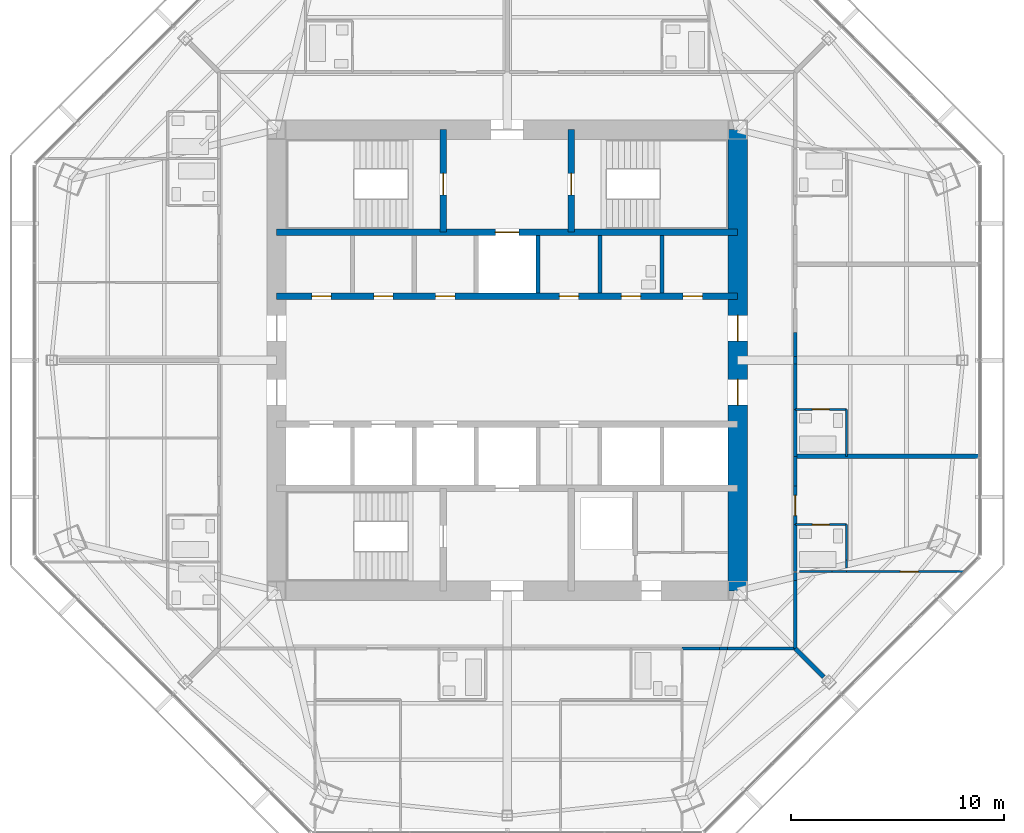
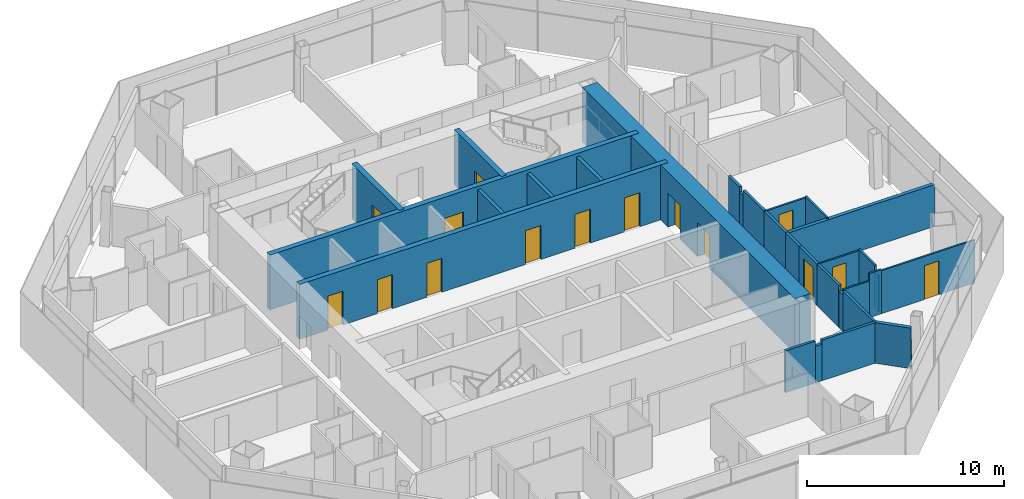
# One storey, part 11 of 15: 30 walls, 15 doors, 15 openings.
"""IFC4 building model written with IfcOpenShell, lengths in metres."""

from ifc_helpers import new_model, si_unit, direction, frame, frame_2d, origin, place, context, subcontext, project, spatial, rectangle, extrude, material, layer, layer_set, type_object, element, fill, save


model = new_model("IFC4")

# Units and contexts
model_context = context("Model", 3, precision=1e-05, world=origin(), true_north=direction((0.0, 1.0)))
body_context = subcontext(model_context, "Body", "Model", "MODEL_VIEW")
ifc_project = project(units=[si_unit("LENGTHUNIT", "METRE"), si_unit("AREAUNIT", "SQUARE_METRE"), si_unit("VOLUMEUNIT", "CUBIC_METRE"), si_unit("PLANEANGLEUNIT", "RADIAN"), si_unit("MASSUNIT", "GRAM", prefix="KILO")], contexts=[model_context])

# Site, building, storey
site_placement = place(None, origin())
site = spatial("IfcSite", under=ifc_project, at=site_placement, CompositionType="ELEMENT")
building_placement = place(site_placement, origin())
building = spatial("IfcBuilding", under=site, at=building_placement, Name="Mashrafa Tower", CompositionType="ELEMENT")
storey_placement = place(building_placement, frame((0.0, 0.0, 207.39990234375)))
storey = spatial("IfcBuildingStorey", under=building, at=storey_placement, Name="L47", CompositionType="ELEMENT", Elevation=207.39990234375)

# Walls
ifc_material_1 = material(Name="Gypsum board on steel studs", Category="steel")
ifc_layer_1 = layer(ifc_material_1, 0.199951171875)
ifc_layer_set_1 = layer_set([ifc_layer_1], Name="Acoustic partition 200 1 hr")
wall_type_1 = type_object("IfcWallType", Name="Acoustic partition 200 1 hr", PredefinedType="PARTITIONING", material=ifc_layer_set_1)
wall_1_placement = place(storey_placement, frame((13.5, -13.5, 0.0), z_axis=(0.0, 0.0, 1.0), x_axis=(0.707106781187, -0.707106781187, 0.0)))
element("IfcWall", 1, at=wall_1_placement, inside=storey, type_object=wall_type_1, Name="Acoustic wall L47-063", PredefinedType="PARTITIONING", context=body_context, shape_type="SweptSolid", body=[
    extrude(rectangle(XDim=1.890625, YDim=0.199951171875, at=frame_2d((0.9453125, 0.0))), origin(), (0.0, 0.0, 1.0), 2.511962890625),
])
wall_2_placement = place(storey_placement, frame((13.5, -4.5, 0.0), z_axis=(0.0, 0.0, 1.0), x_axis=(1.0, 0.0, 0.0)))
element("IfcWall", 2, at=wall_2_placement, inside=storey, type_object=wall_type_1, Name="Acoustic wall L47-067", PredefinedType="PARTITIONING", context=body_context, shape_type="SweptSolid", body=[
    extrude(rectangle(XDim=8.629638671875, YDim=0.199951171875, at=frame_2d((4.31494140625, 0.0))), origin(), (0.0, 0.0, 1.0), 2.590576171875),
])

# Wall, openings, doors
ifc_material_2 = material(Name="Concrete C50/60", Category="concrete")
ifc_layer_2 = layer(ifc_material_2, 0.300048828125)
ifc_layer_set_2 = layer_set([ifc_layer_2], Name="Core wall 300 C50/60")
wall_type_2 = type_object("IfcWallType", Name="Core wall 300 C50/60", PredefinedType="SOLIDWALL", material=ifc_layer_set_2)
wall_3_placement = place(storey_placement, frame((-10.800048828125, 3.0, 0.0), z_axis=(0.0, 0.0, 1.0), x_axis=(1.0, 0.0, 0.0)))
wall_3 = element("IfcWall", 3, at=wall_3_placement, inside=storey, type_object=wall_type_2, Name="Core wall CH-N L47", PredefinedType="SOLIDWALL", context=body_context, shape_type="SweptSolid", body=[
    extrude(rectangle(XDim=21.60009765625, YDim=0.300048828125, at=frame_2d((10.800048828125, 0.0))), origin(), (0.0, 0.0, 1.0), 3.400146484375),
])
opening_1_placement = place(wall_3_placement, frame((1.64990234375, 0.0, 0.0)))
opening_1 = element("IfcOpeningElement", 4, at=opening_1_placement, cuts=wall_3, Name="Opening 47.045", PredefinedType="OPENING", context=body_context, shape_type="SweptSolid", body=[
    extrude(rectangle(XDim=0.89990234375, YDim=2.10009765625, at=frame_2d((0.449951171875, 1.050048828125))), frame((0.0, 0.159912109375, 0.0), z_axis=(0.0, -1.0, 0.0), x_axis=(1.0, 0.0, 0.0)), (0.0, 0.0, 1.0), 0.320068359375),
])
opening_2_placement = place(wall_3_placement, frame((13.25, 0.0, 0.0)))
opening_2 = element("IfcOpeningElement", 5, at=opening_2_placement, cuts=wall_3, Name="Opening 47.046", PredefinedType="OPENING", context=body_context, shape_type="SweptSolid", body=[
    extrude(rectangle(XDim=0.89990234375, YDim=2.10009765625, at=frame_2d((0.449951171875, 1.050048828125))), frame((0.0, 0.159912109375, 0.0), z_axis=(0.0, -1.0, 0.0), x_axis=(1.0, 0.0, 0.0)), (0.0, 0.0, 1.0), 0.320068359375),
])
opening_3_placement = place(wall_3_placement, frame((16.14990234375, 0.0, 0.0)))
opening_3 = element("IfcOpeningElement", 6, at=opening_3_placement, cuts=wall_3, Name="Opening 47.047", PredefinedType="OPENING", context=body_context, shape_type="SweptSolid", body=[
    extrude(rectangle(XDim=0.89990234375, YDim=2.10009765625, at=frame_2d((0.449951171875, 1.050048828125))), frame((0.0, 0.159912109375, 0.0), z_axis=(0.0, -1.0, 0.0), x_axis=(1.0, 0.0, 0.0)), (0.0, 0.0, 1.0), 0.320068359375),
])
opening_4_placement = place(wall_3_placement, frame((4.550048828125, 0.0, 0.0)))
opening_4 = element("IfcOpeningElement", 7, at=opening_4_placement, cuts=wall_3, Name="Opening 47.049", PredefinedType="OPENING", context=body_context, shape_type="SweptSolid", body=[
    extrude(rectangle(XDim=0.89990234375, YDim=2.10009765625, at=frame_2d((0.449951171875, 1.050048828125))), frame((0.0, 0.159912109375, 0.0), z_axis=(0.0, -1.0, 0.0), x_axis=(1.0, 0.0, 0.0)), (0.0, 0.0, 1.0), 0.320068359375),
])
opening_5_placement = place(wall_3_placement, frame((7.449951171875, 0.0, 0.0)))
opening_5 = element("IfcOpeningElement", 8, at=opening_5_placement, cuts=wall_3, Name="Opening 47.050", PredefinedType="OPENING", context=body_context, shape_type="SweptSolid", body=[
    extrude(rectangle(XDim=0.89990234375, YDim=2.10009765625, at=frame_2d((0.449951171875, 1.050048828125))), frame((0.0, 0.159912109375, 0.0), z_axis=(0.0, -1.0, 0.0), x_axis=(1.0, 0.0, 0.0)), (0.0, 0.0, 1.0), 0.320068359375),
])
opening_6_placement = place(wall_3_placement, frame((19.050048828125, 0.0, 0.0)))
opening_6 = element("IfcOpeningElement", 9, at=opening_6_placement, cuts=wall_3, Name="Opening 47.051", PredefinedType="OPENING", context=body_context, shape_type="SweptSolid", body=[
    extrude(rectangle(XDim=0.89990234375, YDim=2.10009765625, at=frame_2d((0.449951171875, 1.050048828125))), frame((0.0, 0.159912109375, 0.0), z_axis=(0.0, -1.0, 0.0), x_axis=(1.0, 0.0, 0.0)), (0.0, 0.0, 1.0), 0.320068359375),
])
ifc_material_3 = material(Name="Timber door", Category="wood")
door_type_1 = type_object("IfcDoorType", Name="Store door 900 x 2100", OperationType="USERDEFINED", PredefinedType="DOOR", material=ifc_material_3)
door_1_placement = place(opening_1_placement, origin())
door_1 = element("IfcDoor", 10, at=door_1_placement, inside=storey, type_object=door_type_1, Name="Refuse Chute Room L47 door", OperationType="SINGLE_SWING_RIGHT", OverallHeight=2.10009765625, OverallWidth=0.89990234375, PredefinedType="DOOR", context=body_context, shape_type="SweptSolid", body=[
    extrude(rectangle(XDim=0.89990234375, YDim=2.10009765625, at=frame_2d((0.449951171875, 1.050048828125))), frame((0.0, 0.02490234375, 0.0), z_axis=(0.0, -1.0, 0.0), x_axis=(1.0, 0.0, 0.0)), (0.0, 0.0, 1.0), 0.050048828125),
])
fill(opening_1, door_1)
door_2_placement = place(opening_2_placement, origin())
door_2 = element("IfcDoor", 11, at=door_2_placement, inside=storey, type_object=door_type_1, Name="Cleaner's Store L47 door", OperationType="SINGLE_SWING_LEFT", OverallHeight=2.10009765625, OverallWidth=0.89990234375, PredefinedType="DOOR", context=body_context, shape_type="SweptSolid", body=[
    extrude(rectangle(XDim=0.89990234375, YDim=2.10009765625, at=frame_2d((0.449951171875, 1.050048828125))), frame((0.0, 0.02490234375, 0.0), z_axis=(0.0, -1.0, 0.0), x_axis=(1.0, 0.0, 0.0)), (0.0, 0.0, 1.0), 0.050048828125),
])
fill(opening_2, door_2)
door_3_placement = place(opening_4_placement, origin())
door_3 = element("IfcDoor", 12, at=door_3_placement, inside=storey, type_object=door_type_1, Name="Residents' Store L47-A2 door", OperationType="SINGLE_SWING_LEFT", OverallHeight=2.10009765625, OverallWidth=0.89990234375, PredefinedType="DOOR", context=body_context, shape_type="SweptSolid", body=[
    extrude(rectangle(XDim=0.89990234375, YDim=2.10009765625, at=frame_2d((0.449951171875, 1.050048828125))), frame((0.0, 0.02490234375, 0.0), z_axis=(0.0, -1.0, 0.0), x_axis=(1.0, 0.0, 0.0)), (0.0, 0.0, 1.0), 0.050048828125),
])
fill(opening_4, door_3)
door_4_placement = place(opening_5_placement, origin())
door_4 = element("IfcDoor", 13, at=door_4_placement, inside=storey, type_object=door_type_1, Name="Residents' Store L47-A3 door", OperationType="SINGLE_SWING_LEFT", OverallHeight=2.10009765625, OverallWidth=0.89990234375, PredefinedType="DOOR", context=body_context, shape_type="SweptSolid", body=[
    extrude(rectangle(XDim=0.89990234375, YDim=2.10009765625, at=frame_2d((0.449951171875, 1.050048828125))), frame((0.0, 0.02490234375, 0.0), z_axis=(0.0, -1.0, 0.0), x_axis=(1.0, 0.0, 0.0)), (0.0, 0.0, 1.0), 0.050048828125),
])
fill(opening_5, door_4)
door_5_placement = place(opening_6_placement, origin())
door_5 = element("IfcDoor", 14, at=door_5_placement, inside=storey, type_object=door_type_1, Name="Residents' Store L47-K2 door", OperationType="SINGLE_SWING_LEFT", OverallHeight=2.10009765625, OverallWidth=0.89990234375, PredefinedType="DOOR", context=body_context, shape_type="SweptSolid", body=[
    extrude(rectangle(XDim=0.89990234375, YDim=2.10009765625, at=frame_2d((0.449951171875, 1.050048828125))), frame((0.0, 0.02490234375, 0.0), z_axis=(0.0, -1.0, 0.0), x_axis=(1.0, 0.0, 0.0)), (0.0, 0.0, 1.0), 0.050048828125),
])
fill(opening_6, door_5)
ifc_material_4 = material(Name="Timber door", Category="wood")
door_type_2 = type_object("IfcDoorType", Name="Toilet door 900 x 2100", OperationType="USERDEFINED", PredefinedType="DOOR", material=ifc_material_4)
door_6_placement = place(opening_3_placement, origin())
door_6 = element("IfcDoor", 15, at=door_6_placement, inside=storey, type_object=door_type_2, Name="Staff WC L47 door", OperationType="SINGLE_SWING_LEFT", OverallHeight=2.10009765625, OverallWidth=0.89990234375, PredefinedType="DOOR", context=body_context, shape_type="SweptSolid", body=[
    extrude(rectangle(XDim=0.89990234375, YDim=2.10009765625, at=frame_2d((0.449951171875, 1.050048828125))), frame((0.0, 0.02490234375, 0.0), z_axis=(0.0, -1.0, 0.0), x_axis=(1.0, 0.0, 0.0)), (0.0, 0.0, 1.0), 0.050048828125),
])
fill(opening_3, door_6)

# Wall, opening, door
wall_4_placement = place(storey_placement, frame((-10.800048828125, 6.0, 0.0), z_axis=(0.0, 0.0, 1.0), x_axis=(1.0, 0.0, 0.0)))
wall_4 = element("IfcWall", 16, at=wall_4_placement, inside=storey, type_object=wall_type_2, Name="Core wall CB-N L47", PredefinedType="SOLIDWALL", context=body_context, shape_type="SweptSolid", body=[
    extrude(rectangle(XDim=21.60009765625, YDim=0.300048828125, at=frame_2d((10.800048828125, 0.0))), origin(), (0.0, 0.0, 1.0), 3.400146484375),
])
opening_7_placement = place(wall_4_placement, frame((10.25, 0.0, 0.0)))
opening_7 = element("IfcOpeningElement", 17, at=opening_7_placement, cuts=wall_4, Name="Opening 47.F1", PredefinedType="OPENING", context=body_context, shape_type="SweptSolid", body=[
    extrude(rectangle(XDim=1.10009765625, YDim=2.10009765625, at=frame_2d((0.550048828125, 1.050048828125))), frame((0.0, 0.159912109375, 0.0), z_axis=(0.0, -1.0, 0.0), x_axis=(1.0, 0.0, 0.0)), (0.0, 0.0, 1.0), 0.320068359375),
])
ifc_material_5 = material(Name="Steel door", Category="steel")
door_type_3 = type_object("IfcDoorType", Name="Lift landing door 1100 x 2100 90 min", OperationType="DOUBLE_DOOR_SLIDING", PredefinedType="DOOR", material=ifc_material_5)
door_7_placement = place(opening_7_placement, origin())
door_7 = element("IfcDoor", 18, at=door_7_placement, inside=storey, type_object=door_type_3, Name="Lift landing door F1 L47", OperationType="DOUBLE_DOOR_SLIDING", OverallHeight=2.10009765625, OverallWidth=1.10009765625, PredefinedType="DOOR", context=body_context, shape_type="SweptSolid", body=[
    extrude(rectangle(XDim=1.10009765625, YDim=2.10009765625, at=frame_2d((0.550048828125, 1.050048828125))), frame((0.0, 0.02490234375, 0.0), z_axis=(0.0, -1.0, 0.0), x_axis=(1.0, 0.0, 0.0)), (0.0, 0.0, 1.0), 0.050048828125),
])
fill(opening_7, door_7)

wall_5_placement = place(storey_placement, frame((-3.0, 6.0, 0.0), z_axis=(0.0, 0.0, 1.0), x_axis=(0.0, 1.0, 0.0)))
wall_5 = element("IfcWall", 19, at=wall_5_placement, inside=storey, type_object=wall_type_2, Name="Core wall CX-NW L47", PredefinedType="SOLIDWALL", context=body_context, shape_type="SweptSolid", body=[
    extrude(rectangle(XDim=4.800048828125, YDim=0.300048828125, at=frame_2d((2.39990234375, 0.0))), origin(), (0.0, 0.0, 1.0), 3.400146484375),
])
opening_8_placement = place(wall_5_placement, frame((1.75, 0.0, 0.0)))
opening_8 = element("IfcOpeningElement", 20, at=opening_8_placement, cuts=wall_5, Name="Opening 47.038", PredefinedType="OPENING", context=body_context, shape_type="SweptSolid", body=[
    extrude(rectangle(XDim=1.0, YDim=2.10009765625, at=frame_2d((0.5, 1.050048828125))), frame((0.0, 0.159912109375, 0.0), z_axis=(0.0, -1.0, 0.0), x_axis=(1.0, 0.0, 0.0)), (0.0, 0.0, 1.0), 0.320068359375),
])
ifc_material_6 = material(Name="Steel door", Category="steel")
door_type_4 = type_object("IfcDoorType", Name="Stair door 1000 x 2100 90 min", OperationType="USERDEFINED", PredefinedType="DOOR", material=ifc_material_6)
door_8_placement = place(opening_8_placement, origin())
door_8 = element("IfcDoor", 21, at=door_8_placement, inside=storey, type_object=door_type_4, Name="Stair S1 door L47", OperationType="SINGLE_SWING_LEFT", OverallHeight=2.10009765625, OverallWidth=1.0, PredefinedType="DOOR", context=body_context, shape_type="SweptSolid", body=[
    extrude(rectangle(XDim=1.0, YDim=2.10009765625, at=frame_2d((0.5, 1.050048828125))), frame((0.0, 0.02490234375, 0.0), z_axis=(0.0, -1.0, 0.0), x_axis=(1.0, 0.0, 0.0)), (0.0, 0.0, 1.0), 0.050048828125),
])
fill(opening_8, door_8)

wall_6_placement = place(storey_placement, frame((3.0, 6.0, 0.0), z_axis=(0.0, 0.0, 1.0), x_axis=(0.0, 1.0, 0.0)))
wall_6 = element("IfcWall", 22, at=wall_6_placement, inside=storey, type_object=wall_type_2, Name="Core wall CX-NE L47", PredefinedType="SOLIDWALL", context=body_context, shape_type="SweptSolid", body=[
    extrude(rectangle(XDim=4.800048828125, YDim=0.300048828125, at=frame_2d((2.39990234375, 0.0))), origin(), (0.0, 0.0, 1.0), 3.400146484375),
])
opening_9_placement = place(wall_6_placement, frame((1.75, 0.0, 0.0)))
opening_9 = element("IfcOpeningElement", 23, at=opening_9_placement, cuts=wall_6, Name="Opening 47.039", PredefinedType="OPENING", context=body_context, shape_type="SweptSolid", body=[
    extrude(rectangle(XDim=1.0, YDim=2.10009765625, at=frame_2d((0.5, 1.050048828125))), frame((0.0, 0.159912109375, 0.0), z_axis=(0.0, -1.0, 0.0), x_axis=(1.0, 0.0, 0.0)), (0.0, 0.0, 1.0), 0.320068359375),
])
door_9_placement = place(opening_9_placement, frame((1.0, 0.0, 0.0), z_axis=(0.0, 0.0, 1.0), x_axis=(-1.0, 0.0, 0.0)))
door_9 = element("IfcDoor", 24, at=door_9_placement, inside=storey, type_object=door_type_4, Name="Stair S2 door L47", OperationType="SINGLE_SWING_RIGHT", OverallHeight=2.10009765625, OverallWidth=1.0, PredefinedType="DOOR", context=body_context, shape_type="SweptSolid", body=[
    extrude(rectangle(XDim=1.0, YDim=2.10009765625, at=frame_2d((0.5, 1.050048828125))), frame((0.0, 0.02490234375, 0.0), z_axis=(0.0, -1.0, 0.0), x_axis=(1.0, 0.0, 0.0)), (0.0, 0.0, 1.0), 0.050048828125),
])
fill(opening_9, door_9)

# Wall, openings, doors
ifc_material_7 = material(Name="Concrete C50/60", Category="concrete")
ifc_layer_3 = layer(ifc_material_7, 0.89990234375)
ifc_layer_set_3 = layer_set([ifc_layer_3], Name="Core wall 900 C50/60")
wall_type_3 = type_object("IfcWallType", Name="Core wall 900 C50/60", PredefinedType="SOLIDWALL", material=ifc_layer_set_3)
wall_7_placement = place(storey_placement, frame((10.800048828125, -10.800048828125, 0.0), z_axis=(0.0, 0.0, 1.0), x_axis=(0.0, 1.0, 0.0)))
wall_7 = element("IfcWall", 25, at=wall_7_placement, inside=storey, type_object=wall_type_3, Name="Core wall CW-E L47", PredefinedType="SOLIDWALL", context=body_context, shape_type="SweptSolid", body=[
    extrude(rectangle(XDim=21.60009765625, YDim=0.89990234375, at=frame_2d((10.800048828125, 0.0))), origin(), (0.0, 0.0, 1.0), 3.400146484375),
])
opening_10_placement = place(wall_7_placement, frame((11.699951171875, 0.0, 0.0)))
opening_10 = element("IfcOpeningElement", 26, at=opening_10_placement, cuts=wall_7, Name="Opening 47.032", PredefinedType="OPENING", context=body_context, shape_type="SweptSolid", body=[
    extrude(rectangle(XDim=1.199951171875, YDim=2.10009765625, at=frame_2d((0.60009765625, 1.050048828125))), frame((0.0, 0.4599609375, 0.0), z_axis=(0.0, -1.0, 0.0), x_axis=(1.0, 0.0, 0.0)), (0.0, 0.0, 1.0), 0.919921875),
])
opening_11_placement = place(wall_7_placement, frame((8.699951171875, 0.0, 0.0)))
opening_11 = element("IfcOpeningElement", 27, at=opening_11_placement, cuts=wall_7, Name="Opening 47.034", PredefinedType="OPENING", context=body_context, shape_type="SweptSolid", body=[
    extrude(rectangle(XDim=1.199951171875, YDim=2.10009765625, at=frame_2d((0.60009765625, 1.050048828125))), frame((0.0, 0.4599609375, 0.0), z_axis=(0.0, -1.0, 0.0), x_axis=(1.0, 0.0, 0.0)), (0.0, 0.0, 1.0), 0.919921875),
])
ifc_material_8 = material(Name="Steel door", Category="steel")
door_type_5 = type_object("IfcDoorType", Name="Lift hall door 1200 x 2100 90 min", OperationType="USERDEFINED", PredefinedType="DOOR", material=ifc_material_8)
door_10_placement = place(opening_10_placement, frame((1.199951171875, 0.0, 0.0), z_axis=(0.0, 0.0, 1.0), x_axis=(-1.0, 0.0, 0.0)))
door_10 = element("IfcDoor", 28, at=door_10_placement, inside=storey, type_object=door_type_5, Name="Lift hall door east L47", OperationType="SINGLE_SWING_LEFT", OverallHeight=2.10009765625, OverallWidth=1.199951171875, PredefinedType="DOOR", context=body_context, shape_type="SweptSolid", body=[
    extrude(rectangle(XDim=1.199951171875, YDim=2.10009765625, at=frame_2d((0.60009765625, 1.050048828125))), frame((0.0, 0.02490234375, 0.0), z_axis=(0.0, -1.0, 0.0), x_axis=(1.0, 0.0, 0.0)), (0.0, 0.0, 1.0), 0.050048828125),
])
fill(opening_10, door_10)
door_11_placement = place(opening_11_placement, frame((1.199951171875, 0.0, 0.0), z_axis=(0.0, 0.0, 1.0), x_axis=(-1.0, 0.0, 0.0)))
door_11 = element("IfcDoor", 29, at=door_11_placement, inside=storey, type_object=door_type_5, Name="Lift hall door east L47", OperationType="SINGLE_SWING_RIGHT", OverallHeight=2.10009765625, OverallWidth=1.199951171875, PredefinedType="DOOR", context=body_context, shape_type="SweptSolid", body=[
    extrude(rectangle(XDim=1.199951171875, YDim=2.10009765625, at=frame_2d((0.60009765625, 1.050048828125))), frame((0.0, 0.02490234375, 0.0), z_axis=(0.0, -1.0, 0.0), x_axis=(1.0, 0.0, 0.0)), (0.0, 0.0, 1.0), 0.050048828125),
])
fill(opening_11, door_11)

# Walls
ifc_material_9 = material(Name="Gypsum board on steel studs", Category="steel")
ifc_layer_4 = layer(ifc_material_9, 0.14990234375)
ifc_layer_set_4 = layer_set([ifc_layer_4], Name="Corridor partition 150 1 hr")
wall_type_4 = type_object("IfcWallType", Name="Corridor partition 150 1 hr", PredefinedType="PARTITIONING", material=ifc_layer_set_4)
wall_8_placement = place(storey_placement, frame((13.5, -13.5, 0.0), z_axis=(0.0, 0.0, 1.0), x_axis=(0.0, 1.0, 0.0)))
element("IfcWall", 30, at=wall_8_placement, inside=storey, type_object=wall_type_4, Name="Corridor wall L47-001", PredefinedType="PARTITIONING", context=body_context, shape_type="SweptSolid", body=[
    extrude(rectangle(XDim=3.177001953125, YDim=0.14990234375, at=frame_2d((1.58837890625, 0.0))), origin(), (0.0, 0.0, 1.0), 2.511962890625),
])
wall_9_placement = place(storey_placement, frame((13.5, -10.322998046875, 0.0), z_axis=(0.0, 0.0, 1.0), x_axis=(0.0, 1.0, 0.0)))
element("IfcWall", 31, at=wall_9_placement, inside=storey, type_object=wall_type_4, Name="Corridor wall L47-002", PredefinedType="PARTITIONING", context=body_context, shape_type="SweptSolid", body=[
    extrude(rectangle(XDim=0.375732421875, YDim=0.14990234375, at=frame_2d((0.18798828125, 0.0))), origin(), (0.0, 0.0, 1.0), 2.268310546875),
])
wall_10_placement = place(storey_placement, frame((13.5, -9.90087890625, 0.0), z_axis=(0.0, 0.0, 1.0), x_axis=(0.0, 1.0, 0.0)))
element("IfcWall", 32, at=wall_10_placement, inside=storey, type_object=wall_type_4, Name="Corridor wall L47-003", PredefinedType="PARTITIONING", context=body_context, shape_type="SweptSolid", body=[
    extrude(rectangle(XDim=2.201904296875, YDim=0.14990234375, at=frame_2d((1.10107421875, 0.0))), origin(), (0.0, 0.0, 1.0), 2.590576171875),
])
wall_11_placement = place(storey_placement, frame((13.5, -5.90087890625, 0.0), z_axis=(0.0, 0.0, 1.0), x_axis=(0.0, 1.0, 0.0)))
element("IfcWall", 33, at=wall_11_placement, inside=storey, type_object=wall_type_4, Name="Corridor wall L47-004", PredefinedType="PARTITIONING", context=body_context, shape_type="SweptSolid", body=[
    extrude(rectangle(XDim=1.40185546875, YDim=0.14990234375, at=frame_2d((0.700927734375, 0.0))), origin(), (0.0, 0.0, 1.0), 2.590576171875),
])

# Wall, opening, door
wall_12_placement = place(storey_placement, frame((13.5, -7.700927734375, 0.0), z_axis=(0.0, 0.0, 1.0), x_axis=(0.0, 1.0, 0.0)))
wall_12 = element("IfcWall", 34, at=wall_12_placement, inside=storey, type_object=wall_type_4, Name="Corridor wall L47-005", PredefinedType="PARTITIONING", context=body_context, shape_type="SweptSolid", body=[
    extrude(rectangle(XDim=1.802001953125, YDim=0.14990234375, at=frame_2d((0.90087890625, 0.0))), origin(), (0.0, 0.0, 1.0), 2.590576171875),
])
opening_12_placement = place(wall_12_placement, frame((0.426025390625, 0.0, 0.0)))
opening_12 = element("IfcOpeningElement", 35, at=opening_12_placement, cuts=wall_12, Name="Opening 47.003", PredefinedType="OPENING", context=body_context, shape_type="SweptSolid", body=[
    extrude(rectangle(XDim=0.949951171875, YDim=2.10009765625, at=frame_2d((0.47509765625, 1.050048828125))), frame((0.0, 0.0849609375, 0.0), z_axis=(0.0, -1.0, 0.0), x_axis=(1.0, 0.0, 0.0)), (0.0, 0.0, 1.0), 0.169921875),
])
ifc_material_10 = material(Name="Steel door", Category="steel")
door_type_6 = type_object("IfcDoorType", Name="Residence entrance door 950 x 2100 20 min", OperationType="USERDEFINED", PredefinedType="DOOR", material=ifc_material_10)
door_12_placement = place(opening_12_placement, frame((0.949951171875, 0.0, 0.0), z_axis=(0.0, 0.0, 1.0), x_axis=(-1.0, 0.0, 0.0)))
door_12 = element("IfcDoor", 36, at=door_12_placement, inside=storey, type_object=door_type_6, Name="Apartment 4701 Living Room door", OperationType="SINGLE_SWING_LEFT", OverallHeight=2.10009765625, OverallWidth=0.949951171875, PredefinedType="DOOR", context=body_context, shape_type="SweptSolid", body=[
    extrude(rectangle(XDim=0.949951171875, YDim=2.10009765625, at=frame_2d((0.47509765625, 1.050048828125))), frame((0.0, 0.02490234375, 0.0), z_axis=(0.0, -1.0, 0.0), x_axis=(1.0, 0.0, 0.0)), (0.0, 0.0, 1.0), 0.050048828125),
])
fill(opening_12, door_12)

# Walls
wall_13_placement = place(storey_placement, frame((13.5, -4.5009765625, 0.0), z_axis=(0.0, 0.0, 1.0), x_axis=(0.0, 1.0, 0.0)))
element("IfcWall", 37, at=wall_13_placement, inside=storey, type_object=wall_type_4, Name="Corridor wall L47-006", PredefinedType="PARTITIONING", context=body_context, shape_type="SweptSolid", body=[
    extrude(rectangle(XDim=2.201904296875, YDim=0.14990234375, at=frame_2d((1.10107421875, 0.0))), origin(), (0.0, 0.0, 1.0), 2.590576171875),
])
wall_14_placement = place(storey_placement, frame((13.5, -0.18359375, 0.0), z_axis=(0.0, 0.0, 1.0), x_axis=(0.0, -1.0, 0.0)))
element("IfcWall", 38, at=wall_14_placement, inside=storey, type_object=wall_type_4, Name="Corridor wall L47-007", PredefinedType="PARTITIONING", context=body_context, shape_type="SweptSolid", body=[
    extrude(rectangle(XDim=2.117431640625, YDim=0.14990234375, at=frame_2d((1.05859375, 0.0))), origin(), (0.0, 0.0, 1.0), 2.590576171875),
])
wall_15_placement = place(storey_placement, frame((13.5, 0.18359375, 0.0), z_axis=(0.0, 0.0, 1.0), x_axis=(0.0, 1.0, 0.0)))
element("IfcWall", 39, at=wall_15_placement, inside=storey, type_object=wall_type_4, Name="Corridor wall L47-008", PredefinedType="PARTITIONING", context=body_context, shape_type="SweptSolid", body=[
    extrude(rectangle(XDim=1.117431640625, YDim=0.14990234375, at=frame_2d((0.55859375, 0.0))), origin(), (0.0, 0.0, 1.0), 2.590576171875),
])
wall_16_placement = place(storey_placement, frame((13.5, -0.18359375, 0.0), z_axis=(0.0, 0.0, 1.0), x_axis=(0.0, 1.0, 0.0)))
element("IfcWall", 40, at=wall_16_placement, inside=storey, type_object=wall_type_4, Name="Corridor wall L47-009", PredefinedType="PARTITIONING", context=body_context, shape_type="SweptSolid", body=[
    extrude(rectangle(XDim=0.3671875, YDim=0.14990234375, at=frame_2d((0.18359375, 0.0))), origin(), (0.0, 0.0, 1.0), 2.2529296875),
])
wall_17_placement = place(storey_placement, frame((8.198974609375, -13.5, 0.0), z_axis=(0.0, 0.0, 1.0), x_axis=(1.0, 0.0, 0.0)))
element("IfcWall", 41, at=wall_17_placement, inside=storey, type_object=wall_type_4, Name="Corridor wall L47-055", PredefinedType="PARTITIONING", context=body_context, shape_type="SweptSolid", body=[
    extrude(rectangle(XDim=1.748291015625, YDim=0.14990234375, at=frame_2d((0.8740234375, 0.0))), origin(), (0.0, 0.0, 1.0), 2.590576171875),
])
wall_18_placement = place(storey_placement, frame((10.322998046875, -13.5, 0.0), z_axis=(0.0, 0.0, 1.0), x_axis=(1.0, 0.0, 0.0)))
element("IfcWall", 42, at=wall_18_placement, inside=storey, type_object=wall_type_4, Name="Corridor wall L47-056", PredefinedType="PARTITIONING", context=body_context, shape_type="SweptSolid", body=[
    extrude(rectangle(XDim=3.177001953125, YDim=0.14990234375, at=frame_2d((1.58837890625, 0.0))), origin(), (0.0, 0.0, 1.0), 2.511962890625),
])
wall_19_placement = place(storey_placement, frame((9.947265625, -13.5, 0.0), z_axis=(0.0, 0.0, 1.0), x_axis=(1.0, 0.0, 0.0)))
element("IfcWall", 43, at=wall_19_placement, inside=storey, type_object=wall_type_4, Name="Corridor wall L47-057", PredefinedType="PARTITIONING", context=body_context, shape_type="SweptSolid", body=[
    extrude(rectangle(XDim=0.375732421875, YDim=0.14990234375, at=frame_2d((0.18798828125, 0.0))), origin(), (0.0, 0.0, 1.0), 2.268310546875),
])
ifc_material_11 = material(Name="Gypsum board on steel studs", Category="steel")
ifc_layer_5 = layer(ifc_material_11, 0.10009765625)
ifc_layer_set_5 = layer_set([ifc_layer_5], Name="Partition 100")
wall_type_5 = type_object("IfcWallType", Name="Partition 100", PredefinedType="PARTITIONING", material=ifc_layer_set_5)
wall_20_placement = place(storey_placement, frame((15.90087890625, -9.89990234375, 0.0), z_axis=(0.0, 0.0, 1.0), x_axis=(-1.0, 0.0, 0.0)))
element("IfcWall", 44, at=wall_20_placement, inside=storey, type_object=wall_type_5, Name="Partition wall L47-060", PredefinedType="PARTITIONING", context=body_context, shape_type="SweptSolid", body=[
    extrude(rectangle(XDim=0.68310546875, YDim=0.10009765625, at=frame_2d((0.341552734375, 0.0))), origin(), (0.0, 0.0, 1.0), 2.740478515625),
])
wall_21_placement = place(storey_placement, frame((15.2177734375, -9.89990234375, 0.0), z_axis=(0.0, 0.0, 1.0), x_axis=(-1.0, 0.0, 0.0)))
element("IfcWall", 45, at=wall_21_placement, inside=storey, type_object=wall_type_5, Name="Partition wall L47-061", PredefinedType="PARTITIONING", context=body_context, shape_type="SweptSolid", body=[
    extrude(rectangle(XDim=1.52587890625, YDim=0.10009765625, at=frame_2d((0.762939453125, 0.0))), origin(), (0.0, 0.0, 1.0), 2.268310546875),
])

# Wall, opening, door
wall_22_placement = place(storey_placement, frame((21.399658203125, -9.89990234375, 0.0), z_axis=(0.0, 0.0, 1.0), x_axis=(-1.0, 0.0, 0.0)))
wall_22 = element("IfcWall", 46, at=wall_22_placement, inside=storey, type_object=wall_type_5, Name="Partition wall L47-062", PredefinedType="PARTITIONING", context=body_context, shape_type="SweptSolid", body=[
    extrude(rectangle(XDim=5.500732421875, YDim=0.10009765625, at=frame_2d((2.75048828125, 0.0))), origin(), (0.0, 0.0, 1.0), 2.664306640625),
])
opening_13_placement = place(wall_22_placement, frame((2.12841796875, 0.0, 0.0)))
opening_13 = element("IfcOpeningElement", 47, at=opening_13_placement, cuts=wall_22, Name="Opening 47.001", PredefinedType="OPENING", context=body_context, shape_type="SweptSolid", body=[
    extrude(rectangle(XDim=0.85009765625, YDim=2.10009765625, at=frame_2d((0.425048828125, 1.050048828125))), frame((0.0, 0.06005859375, 0.0), z_axis=(0.0, -1.0, 0.0), x_axis=(1.0, 0.0, 0.0)), (0.0, 0.0, 1.0), 0.1201171875),
])
ifc_material_12 = material(Name="Timber door", Category="wood")
door_type_7 = type_object("IfcDoorType", Name="Bedroom door 850 x 2100", OperationType="USERDEFINED", PredefinedType="DOOR", material=ifc_material_12)
door_13_placement = place(opening_13_placement, origin())
door_13 = element("IfcDoor", 48, at=door_13_placement, inside=storey, type_object=door_type_7, Name="Apartment 4701 Bedroom 1 door", OperationType="SINGLE_SWING_LEFT", OverallHeight=2.10009765625, OverallWidth=0.85009765625, PredefinedType="DOOR", context=body_context, shape_type="SweptSolid", body=[
    extrude(rectangle(XDim=0.85009765625, YDim=2.10009765625, at=frame_2d((0.425048828125, 1.050048828125))), frame((0.0, 0.02490234375, 0.0), z_axis=(0.0, -1.0, 0.0), x_axis=(1.0, 0.0, 0.0)), (0.0, 0.0, 1.0), 0.050048828125),
])
fill(opening_13, door_13)

# Walls
wall_23_placement = place(storey_placement, frame((15.89990234375, -9.356201171875, 0.0), z_axis=(0.0, 0.0, 1.0), x_axis=(0.0, 1.0, 0.0)))
element("IfcWall", 49, at=wall_23_placement, inside=storey, type_object=wall_type_5, Name="Partition wall L47-064", PredefinedType="PARTITIONING", context=body_context, shape_type="SweptSolid", body=[
    extrude(rectangle(XDim=1.65625, YDim=0.10009765625, at=frame_2d((0.828125, 0.0))), origin(), (0.0, 0.0, 1.0), 2.664306640625),
])
wall_24_placement = place(storey_placement, frame((15.89990234375, -9.73193359375, 0.0), z_axis=(0.0, 0.0, 1.0), x_axis=(0.0, 1.0, 0.0)))
element("IfcWall", 50, at=wall_24_placement, inside=storey, type_object=wall_type_5, Name="Partition wall L47-065", PredefinedType="PARTITIONING", context=body_context, shape_type="SweptSolid", body=[
    extrude(rectangle(XDim=0.375732421875, YDim=0.10009765625, at=frame_2d((0.18798828125, 0.0))), origin(), (0.0, 0.0, 1.0), 2.268310546875),
])

# Wall, opening, door
wall_25_placement = place(storey_placement, frame((15.89990234375, -7.699951171875, 0.0), z_axis=(0.0, 0.0, 1.0), x_axis=(-1.0, 0.0, 0.0)))
wall_25 = element("IfcWall", 51, at=wall_25_placement, inside=storey, type_object=wall_type_5, Name="Partition wall L47-066", PredefinedType="PARTITIONING", context=body_context, shape_type="SweptSolid", body=[
    extrude(rectangle(XDim=2.39990234375, YDim=0.10009765625, at=frame_2d((1.199951171875, 0.0))), origin(), (0.0, 0.0, 1.0), 2.590576171875),
])
opening_14_placement = place(wall_25_placement, frame((0.800048828125, 0.0, 0.0)))
opening_14 = element("IfcOpeningElement", 52, at=opening_14_placement, cuts=wall_25, Name="Opening 47.002", PredefinedType="OPENING", context=body_context, shape_type="SweptSolid", body=[
    extrude(rectangle(XDim=0.800048828125, YDim=2.10009765625, at=frame_2d((0.39990234375, 1.050048828125))), frame((0.0, 0.06005859375, 0.0), z_axis=(0.0, -1.0, 0.0), x_axis=(1.0, 0.0, 0.0)), (0.0, 0.0, 1.0), 0.1201171875),
])
ifc_material_13 = material(Name="Timber door", Category="wood")
door_type_8 = type_object("IfcDoorType", Name="Bathroom door 800 x 2100", OperationType="USERDEFINED", PredefinedType="DOOR", material=ifc_material_13)
door_14_placement = place(opening_14_placement, origin())
door_14 = element("IfcDoor", 53, at=door_14_placement, inside=storey, type_object=door_type_8, Name="Apartment 4701 Bathroom door", OperationType="SINGLE_SWING_LEFT", OverallHeight=2.10009765625, OverallWidth=0.800048828125, PredefinedType="DOOR", context=body_context, shape_type="SweptSolid", body=[
    extrude(rectangle(XDim=0.800048828125, YDim=2.10009765625, at=frame_2d((0.39990234375, 1.050048828125))), frame((0.0, 0.02490234375, 0.0), z_axis=(0.0, -1.0, 0.0), x_axis=(1.0, 0.0, 0.0)), (0.0, 0.0, 1.0), 0.050048828125),
])
fill(opening_14, door_14)

# Wall
wall_26_placement = place(storey_placement, frame((15.89990234375, -4.5, 0.0), z_axis=(0.0, 0.0, 1.0), x_axis=(0.0, 1.0, 0.0)))
element("IfcWall", 54, at=wall_26_placement, inside=storey, type_object=wall_type_5, Name="Partition wall L47-069", PredefinedType="PARTITIONING", context=body_context, shape_type="SweptSolid", body=[
    extrude(rectangle(XDim=2.199951171875, YDim=0.10009765625, at=frame_2d((1.10009765625, 0.0))), origin(), (0.0, 0.0, 1.0), 2.664306640625),
])

# Wall, opening, door
wall_27_placement = place(storey_placement, frame((15.89990234375, -2.300048828125, 0.0), z_axis=(0.0, 0.0, 1.0), x_axis=(-1.0, 0.0, 0.0)))
wall_27 = element("IfcWall", 55, at=wall_27_placement, inside=storey, type_object=wall_type_5, Name="Partition wall L47-070", PredefinedType="PARTITIONING", context=body_context, shape_type="SweptSolid", body=[
    extrude(rectangle(XDim=2.39990234375, YDim=0.10009765625, at=frame_2d((1.199951171875, 0.0))), origin(), (0.0, 0.0, 1.0), 2.590576171875),
])
opening_15_placement = place(wall_27_placement, frame((0.800048828125, 0.0, 0.0)))
opening_15 = element("IfcOpeningElement", 56, at=opening_15_placement, cuts=wall_27, Name="Opening 47.004", PredefinedType="OPENING", context=body_context, shape_type="SweptSolid", body=[
    extrude(rectangle(XDim=0.800048828125, YDim=2.10009765625, at=frame_2d((0.39990234375, 1.050048828125))), frame((0.0, 0.06005859375, 0.0), z_axis=(0.0, -1.0, 0.0), x_axis=(1.0, 0.0, 0.0)), (0.0, 0.0, 1.0), 0.1201171875),
])
door_15_placement = place(opening_15_placement, origin())
door_15 = element("IfcDoor", 57, at=door_15_placement, inside=storey, type_object=door_type_8, Name="Apartment 4702 Bathroom door", OperationType="SINGLE_SWING_LEFT", OverallHeight=2.10009765625, OverallWidth=0.800048828125, PredefinedType="DOOR", context=body_context, shape_type="SweptSolid", body=[
    extrude(rectangle(XDim=0.800048828125, YDim=2.10009765625, at=frame_2d((0.39990234375, 1.050048828125))), frame((0.0, 0.02490234375, 0.0), z_axis=(0.0, -1.0, 0.0), x_axis=(1.0, 0.0, 0.0)), (0.0, 0.0, 1.0), 0.050048828125),
])
fill(opening_15, door_15)

# Walls
ifc_material_14 = material(Name="Gypsum shaft wall on steel studs", Category="steel")
ifc_layer_6 = layer(ifc_material_14, 0.199951171875)
ifc_layer_set_6 = layer_set([ifc_layer_6], Name="Shaft divider wall 200 2 hr")
wall_type_6 = type_object("IfcWallType", Name="Shaft divider wall 200 2 hr", PredefinedType="PARTITIONING", material=ifc_layer_set_6)
for number, where, z_axis, x_axis, name in (
    (58, (1.449951171875, 3.14990234375, 0.0), (0.0, 0.0, 1.0), (0.0, 1.0, 0.0), "Shaft divider wall N4 L47"),
    (59, (4.35009765625, 3.14990234375, 0.0), (0.0, 0.0, 1.0), (0.0, 1.0, 0.0), "Shaft divider wall N5 L47"),
    (60, (7.25, 3.14990234375, 0.0), (0.0, 0.0, 1.0), (0.0, 1.0, 0.0), "Shaft divider wall N6 L47"),
):
    element("IfcWall", number, at=place(storey_placement, frame(where, z_axis=z_axis, x_axis=x_axis)), inside=storey, type_object=wall_type_6, Name=name, PredefinedType="PARTITIONING", context=body_context, shape_type="SweptSolid", body=[
        extrude(rectangle(XDim=2.7001953125, YDim=0.199951171875, at=frame_2d((1.35009765625, 0.0))), origin(), (0.0, 0.0, 1.0), 3.2001953125),
    ])

save(model, "model.ifc")
